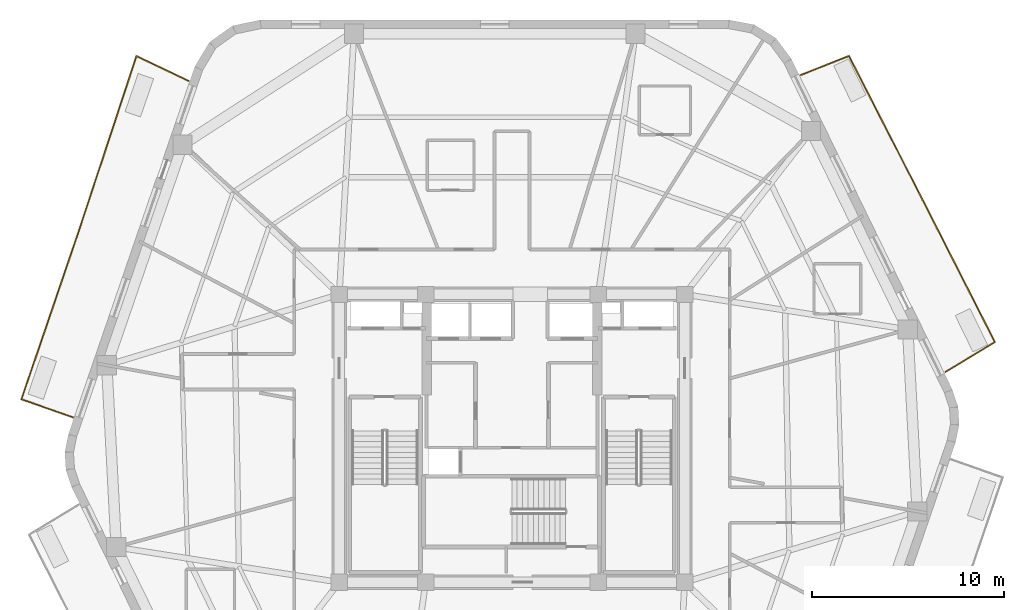
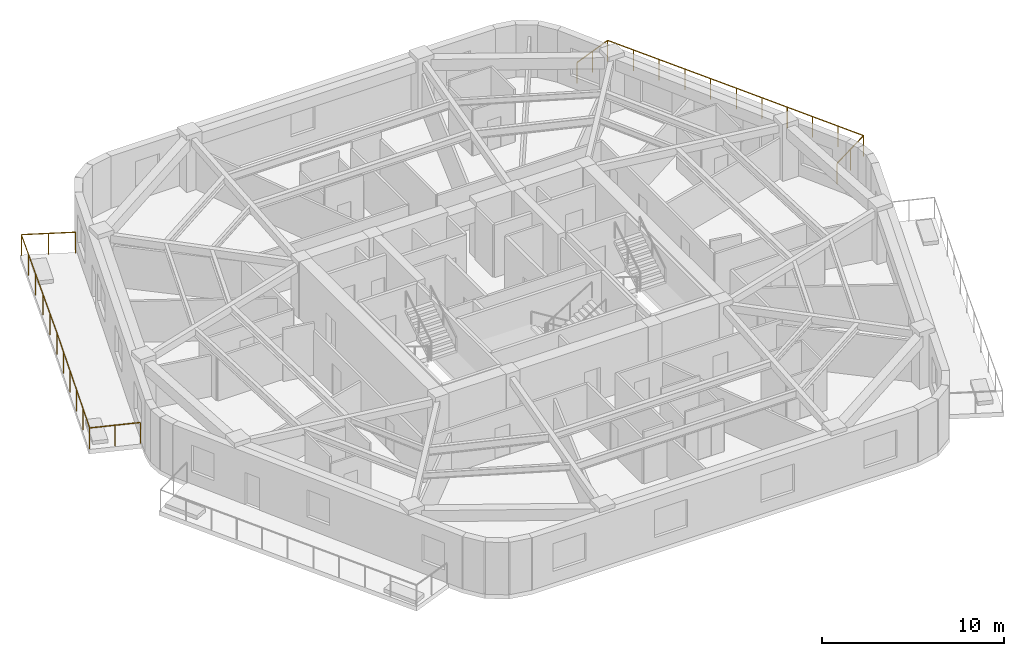
# One storey, part 9 of 9: 2 railings.
"""IFC4 building model written with IfcOpenShell, lengths in metres."""

import ifcopenshell
import ifcopenshell.guid

model = None  # the IFC model being written
_history = None  # IfcOwnerHistory: only IFC2X3 demands one
_inside = {}  # id of a spatial element -> (the spatial element, [elements in it])
_under = {}  # id of a project, library or spatial element -> (it, [spatial elements below it])
_declared = {}  # id of a project -> (the project, [libraries it declares])
_typed = {}  # id of a type object -> (the type object, [elements of that type])
_made_of = {}  # id of a material, layer set ... -> (it, [elements and type objects made of it])


def new_model(schema):
    """Start an empty IFC model of exactly this schema.

    Asked for "IFC4X3", IfcOpenShell would pick the latest addendum, in which some entities
    have other attributes; the version numbers below select the first issue.
    IFC2X3 requires an IfcOwnerHistory on every rooted entity: one is made here for all.
    """
    global model, _history
    if schema == "IFC4X3":
        model = ifcopenshell.file(schema_version=(4, 3, 0, 0))
    else:
        model = ifcopenshell.file(schema=schema)
    _inside.clear()
    _under.clear()
    _declared.clear()
    _typed.clear()
    _made_of.clear()
    _history = None
    if model.schema == "IFC2X3":
        org = make("IfcOrganization", Name="unknown")
        user = make(
            "IfcPersonAndOrganization",
            ThePerson=make("IfcPerson", FamilyName="unknown"),
            TheOrganization=org,
        )
        app = make(
            "IfcApplication",
            ApplicationDeveloper=org,
            Version="unknown",
            ApplicationFullName="unknown",
            ApplicationIdentifier="unknown",
        )
        _history = make(
            "IfcOwnerHistory",
            OwningUser=user,
            OwningApplication=app,
            ChangeAction="ADDED",
            CreationDate=0,
        )
    return model


def make(cls, **values):
    """One entity of the class cls with the attributes given. An attribute that is None is left unset."""
    return model.create_entity(
        cls, **{name: value for name, value in values.items() if value is not None}
    )


def rooted(cls, **values):
    """An entity with a GlobalId (a new one), such as an element, a storey or a relation."""
    return make(cls, GlobalId=ifcopenshell.guid.new(), OwnerHistory=_history, **values)


def si_unit(unit_type, name, prefix=None):
    """IfcSIUnit, for example si_unit("LENGTHUNIT", "METRE", prefix="MILLI")."""
    return make("IfcSIUnit", UnitType=unit_type, Prefix=prefix, Name=name)


def assignment(units):
    """IfcUnitAssignment: the units of a project."""
    return None if units is None else make("IfcUnitAssignment", Units=units)


def point(xyz):
    """IfcCartesianPoint."""
    return None if xyz is None else make("IfcCartesianPoint", Coordinates=xyz)


def direction(xyz):
    """IfcDirection."""
    return None if xyz is None else make("IfcDirection", DirectionRatios=xyz)


def frame(location, z_axis=None, x_axis=None):
    """IfcAxis2Placement3D, a coordinate frame: its origin and axes. An axis left out is left unset."""
    return make(
        "IfcAxis2Placement3D",
        Location=point(location),
        Axis=direction(z_axis),
        RefDirection=direction(x_axis),
    )


def frame_2d(location, x_axis=None):
    """IfcAxis2Placement2D, a coordinate frame in the plane: its origin and x axis."""
    return make(
        "IfcAxis2Placement2D", Location=point(location), RefDirection=direction(x_axis)
    )


def origin():
    """The frame at (0, 0, 0) with its axes left unset."""
    return frame((0.0, 0.0, 0.0))


def origin_2d():
    """The frame at (0, 0) in the plane with its x axis left unset."""
    return frame_2d((0.0, 0.0))


def place(relative_to, where):
    """IfcLocalPlacement: puts the frame where relative to a parent placement (None: the world)."""
    return make(
        "IfcLocalPlacement", PlacementRelTo=relative_to, RelativePlacement=where
    )


def context(
    kind, dimensions, precision=None, world=None, true_north=None, identifier=None
):
    """IfcGeometricRepresentationContext, for example the 3D "Model" context."""
    return make(
        "IfcGeometricRepresentationContext",
        ContextIdentifier=identifier,
        ContextType=kind,
        CoordinateSpaceDimension=dimensions,
        Precision=precision,
        WorldCoordinateSystem=world,
        TrueNorth=true_north,
    )


def subcontext(parent, identifier, kind, view, scale=None):
    """IfcGeometricRepresentationSubContext, for example "Body" below "Model"."""
    return make(
        "IfcGeometricRepresentationSubContext",
        ContextIdentifier=identifier,
        ContextType=kind,
        ParentContext=parent,
        TargetScale=scale,
        TargetView=view,
    )


def project(units=None, contexts=None):
    """IfcProject with its units and contexts."""
    return rooted(
        "IfcProject",
        Name="project",
        RepresentationContexts=contexts,
        UnitsInContext=assignment(units),
    )


def spatial(cls, under=None, at=None, **own):
    """A site, building, storey or space (cls), placed at a placement, below another one or the project."""
    s = rooted(cls, ObjectPlacement=at, **own)
    if under is not None:
        _under.setdefault(under.id(), (under, []))[1].append(s)
    return s


def profile(cls, at=None, kind="AREA", **sizes):
    """A parametric profile (cls). Its sizes go by their IFC names, for example OverallWidth=200.0."""
    return make(cls, ProfileType=kind, Position=at, **sizes)


def rectangle(**sizes):
    """IfcRectangleProfileDef."""
    return profile("IfcRectangleProfileDef", **sizes)


def extrude(swept, where, along, depth):
    """IfcExtrudedAreaSolid: the profile swept, set in the frame where, extruded along a direction by depth."""
    return make(
        "IfcExtrudedAreaSolid",
        SweptArea=swept,
        Position=where,
        ExtrudedDirection=direction(along),
        Depth=depth,
    )


def shape(context_of_items, identifier, shape_type, items):
    """IfcShapeRepresentation: the items that make up one representation, for example the "Body"."""
    return make(
        "IfcShapeRepresentation",
        ContextOfItems=context_of_items,
        RepresentationIdentifier=identifier,
        RepresentationType=shape_type,
        Items=items,
    )


def material(Name=None, Category=None):
    """IfcMaterial."""
    return make("IfcMaterial", Name=Name, Category=Category)


def layer(
    of_material, thickness, ventilated=None, Name=None, Category=None, Priority=None
):
    """IfcMaterialLayer: one layer of a wall or slab, of a material (None: an air gap)."""
    return make(
        "IfcMaterialLayer",
        Material=of_material,
        LayerThickness=thickness,
        IsVentilated=ventilated,
        Name=Name,
        Category=Category,
        Priority=Priority,
    )


def layer_set(layers, Name=None):
    """IfcMaterialLayerSet."""
    return make("IfcMaterialLayerSet", MaterialLayers=layers, LayerSetName=Name)


def made_of(thing, what):
    """Note that an element or type object is made of a material, layer set ...; save() writes the relation."""
    if what is not None:
        _made_of.setdefault(what.id(), (what, []))[1].append(thing)
    return thing


def type_object(cls, material=None, **own):
    """A type object (cls), such as IfcWallType, which elements share."""
    return made_of(rooted(cls, **own), material)


def element(
    cls,
    number,
    at=None,
    inside=None,
    cuts=None,
    type_object=None,
    material=None,
    context=None,
    identifier="Body",
    shape_type=None,
    held_by="IfcProductDefinitionShape",
    body=None,
    shapes=None,
    **own,
):
    """One element of the class cls, such as IfcWall. Its Tag is "e" and its number.

    at: its placement. inside: the storey or other place that contains it. cuts: it is an
    opening in that element (IfcRelVoidsElement). A single representation is given by context,
    identifier, shape_type and body (its items); several are given by shapes. held_by: the class
    of the entity that holds the representations. save() writes the other relations.
    """
    e = rooted(cls, Tag="e%d" % number, ObjectPlacement=at, **own)
    if body is not None:
        shapes = [shape(context, identifier, shape_type, body)]
    if shapes is not None:
        e.Representation = make(held_by, Representations=shapes)
    if inside is not None:
        _inside.setdefault(inside.id(), (inside, []))[1].append(e)
    if cuts is not None:
        rooted(
            "IfcRelVoidsElement", RelatingBuildingElement=cuts, RelatedOpeningElement=e
        )
    if type_object is not None:
        _typed.setdefault(type_object.id(), (type_object, []))[1].append(e)
    return made_of(e, material)


def aggregate(whole, parts):
    """IfcRelAggregates: a whole, such as a stair, and the parts it consists of."""
    return rooted("IfcRelAggregates", RelatingObject=whole, RelatedObjects=parts)


def save(model, path):
    """Write the relations noted so far, then the file.

    IfcRelAggregates (storeys below a building ...), IfcRelContainedInSpatialStructure (elements
    in a storey), IfcRelDefinesByType, IfcRelAssociatesMaterial and IfcRelDeclares: one each for
    every whole, place, type object, material and project.
    """
    for whole, parts in _under.values():
        aggregate(whole, parts)
    for where, things in _inside.values():
        rooted(
            "IfcRelContainedInSpatialStructure",
            RelatedElements=things,
            RelatingStructure=where,
        )
    for kind, things in _typed.values():
        rooted("IfcRelDefinesByType", RelatedObjects=things, RelatingType=kind)
    for what, things in _made_of.values():
        rooted("IfcRelAssociatesMaterial", RelatedObjects=things, RelatingMaterial=what)
    for by, libraries in _declared.values():
        rooted("IfcRelDeclares", RelatingContext=by, RelatedDefinitions=libraries)
    model.write(path)


model = new_model("IFC4")

# Units and contexts
model_context = context("Model", 3, precision=1e-05, world=origin(), true_north=direction((0.0, 1.0)))
body_context = subcontext(model_context, "Body", "Model", "MODEL_VIEW")
ifc_project = project(units=[si_unit("LENGTHUNIT", "METRE"), si_unit("AREAUNIT", "SQUARE_METRE"), si_unit("VOLUMEUNIT", "CUBIC_METRE"), si_unit("PLANEANGLEUNIT", "RADIAN"), si_unit("MASSUNIT", "GRAM", prefix="KILO")], contexts=[model_context])

# Site, building, storey
site_placement = place(None, origin())
site = spatial("IfcSite", under=ifc_project, at=site_placement, CompositionType="ELEMENT")
building_placement = place(site_placement, origin())
building = spatial("IfcBuilding", under=site, at=building_placement, Name="Kilnhurst Terrace Hotel", CompositionType="ELEMENT")
storey_placement = place(building_placement, frame((0.0, 0.0, 236.89990234375)))
storey = spatial("IfcBuildingStorey", under=building, at=storey_placement, Name="L59", CompositionType="ELEMENT", Elevation=236.89990234375)

# Railings
ifc_material = material(Name="Laminated SentryGlas and Stainless Steel AISI 316L Balustrade", Category="steel")
ifc_layer = layer(ifc_material, 0.070068359375, Name="Laminated SentryGlas and Stainless Steel AISI 316L Balustrade")
ifc_layer_set = layer_set([ifc_layer], Name="Laminated SentryGlas and Stainless Steel AISI 316L Balustrade")
railing_type = type_object("IfcRailingType", Name="RLG-BAL-1420", PredefinedType="BALUSTRADE", material=ifc_layer_set)
railing_1_placement = place(storey_placement, frame((15.0546875, 18.933349609375, 0.0)))
element("IfcRailing", 1, at=railing_1_placement, inside=storey, type_object=railing_type, Name="L59 Exterior Terrace Guardrail BAL-L1B.1", PredefinedType="BALUSTRADE", context=body_context, shape_type="SweptSolid", body=[
    extrude(rectangle(XDim=0.048095703125, YDim=0.048095703125, at=origin_2d()), frame((0.0, 0.0, 1.39599609375), z_axis=(0.929913162101, 0.367779160574, 0.0), x_axis=(-0.367779160574, 0.929913162101, 0.0)), (0.0, 0.0, 1.0), 2.694580078125),
    extrude(rectangle(XDim=0.048095703125, YDim=0.048095703125, at=origin_2d()), frame((2.505615234375, 0.990966796875, 1.39599609375), z_axis=(0.455129479154, -0.890425267614, 0.0), x_axis=(0.890425267614, 0.455129479154, 0.0)), (0.0, 0.0, 1.0), 8.4072265625),
    extrude(rectangle(XDim=0.048095703125, YDim=0.048095703125, at=origin_2d()), frame((6.33203125, -6.4951171875, 1.39599609375), z_axis=(0.45338853952, -0.891312982196, 0.0), x_axis=(0.891312982196, 0.45338853952, 0.0)), (0.0, 0.0, 1.0), 8.320068359375),
    extrude(rectangle(XDim=0.048095703125, YDim=0.048095703125, at=origin_2d()), frame((10.104248046875, -13.910888671875, 1.39599609375), z_axis=(-0.854990626614, -0.518643450168, 0.0), x_axis=(0.518643450168, -0.854990626614, 0.0)), (0.0, 0.0, 1.0), 3.008056640625),
    extrude(rectangle(XDim=0.0419921875, YDim=0.0419921875, at=origin_2d()), origin(), (0.0, 0.0, 1.0), 1.371826171875),
    extrude(rectangle(XDim=0.0419921875, YDim=0.0419921875, at=origin_2d()), frame((1.2529296875, 0.49560546875, 0.0)), (0.0, 0.0, 1.0), 1.371826171875),
    extrude(rectangle(XDim=0.0419921875, YDim=0.0419921875, at=origin_2d()), frame((2.505615234375, 0.990966796875, 0.0)), (0.0, 0.0, 1.0), 1.371826171875),
    extrude(rectangle(XDim=0.0419921875, YDim=0.0419921875, at=origin_2d()), frame((3.27099609375, -0.50634765625, 0.0)), (0.0, 0.0, 1.0), 1.371826171875),
    extrude(rectangle(XDim=0.0419921875, YDim=0.0419921875, at=origin_2d()), frame((4.0361328125, -2.00341796875, 0.0)), (0.0, 0.0, 1.0), 1.371826171875),
    extrude(rectangle(XDim=0.0419921875, YDim=0.0419921875, at=origin_2d()), frame((4.801513671875, -3.500732421875, 0.0)), (0.0, 0.0, 1.0), 1.371826171875),
    extrude(rectangle(XDim=0.0419921875, YDim=0.0419921875, at=origin_2d()), frame((5.566650390625, -4.997802734375, 0.0)), (0.0, 0.0, 1.0), 1.371826171875),
    extrude(rectangle(XDim=0.0419921875, YDim=0.0419921875, at=origin_2d()), frame((6.33203125, -6.4951171875, 0.0)), (0.0, 0.0, 1.0), 1.371826171875),
    extrude(rectangle(XDim=0.0419921875, YDim=0.0419921875, at=origin_2d()), frame((7.08642578125, -7.978271484375, 0.0)), (0.0, 0.0, 1.0), 1.371826171875),
    extrude(rectangle(XDim=0.0419921875, YDim=0.0419921875, at=origin_2d()), frame((7.8408203125, -9.46142578125, 0.0)), (0.0, 0.0, 1.0), 1.371826171875),
    extrude(rectangle(XDim=0.0419921875, YDim=0.0419921875, at=origin_2d()), frame((8.595458984375, -10.944580078125, 0.0)), (0.0, 0.0, 1.0), 1.371826171875),
    extrude(rectangle(XDim=0.0419921875, YDim=0.0419921875, at=origin_2d()), frame((9.349853515625, -12.427734375, 0.0)), (0.0, 0.0, 1.0), 1.371826171875),
    extrude(rectangle(XDim=0.0419921875, YDim=0.0419921875, at=origin_2d()), frame((10.104248046875, -13.910888671875, 0.0)), (0.0, 0.0, 1.0), 1.371826171875),
    extrude(rectangle(XDim=0.0419921875, YDim=0.0419921875, at=origin_2d()), frame((8.818359375, -14.69091796875, 0.0)), (0.0, 0.0, 1.0), 1.371826171875),
    extrude(rectangle(XDim=0.0419921875, YDim=0.0419921875, at=origin_2d()), frame((7.532470703125, -15.470947265625, 0.0)), (0.0, 0.0, 1.0), 1.371826171875),
])
railing_2_placement = place(storey_placement, frame((-22.894287109375, 1.1005859375, 0.0)))
element("IfcRailing", 2, at=railing_2_placement, inside=storey, type_object=railing_type, Name="L59 Exterior Terrace Guardrail BAL-L2A.1", PredefinedType="BALUSTRADE", context=body_context, shape_type="SweptSolid", body=[
    extrude(rectangle(XDim=0.048095703125, YDim=0.048095703125, at=origin_2d()), frame((0.0, 0.0, 1.39599609375), z_axis=(-0.943611810029, 0.331054001597, 0.0), x_axis=(-0.331054001597, -0.943611810029, 0.0)), (0.0, 0.0, 1.0), 2.828125),
    extrude(rectangle(XDim=0.048095703125, YDim=0.048095703125, at=origin_2d()), frame((-2.668701171875, 0.936279296875, 1.39599609375), z_axis=(0.322845243604, 0.946451767753, 0.0), x_axis=(-0.946451767753, 0.322845243604, 0.0)), (0.0, 0.0, 1.0), 9.19775390625),
    extrude(rectangle(XDim=0.048095703125, YDim=0.048095703125, at=origin_2d()), frame((0.30078125, 9.6416015625, 1.39599609375), z_axis=(0.316227766017, 0.948683298051, 0.0), x_axis=(-0.948683298051, 0.316227766017, 0.0)), (0.0, 0.0, 1.0), 0.000732421875),
    extrude(rectangle(XDim=0.048095703125, YDim=0.048095703125, at=origin_2d()), frame((0.301025390625, 9.642333984375, 1.39599609375), z_axis=(0.31308682558, 0.949724507238, 0.0), x_axis=(-0.949724507238, 0.31308682558, 0.0)), (0.0, 0.0, 1.0), 9.6591796875),
    extrude(rectangle(XDim=0.048095703125, YDim=0.048095703125, at=origin_2d()), frame((3.3251953125, 18.81591796875, 1.39599609375), z_axis=(0.902564652544, -0.430554349622, 0.0), x_axis=(0.430554349622, 0.902564652544, 0.0)), (0.0, 0.0, 1.0), 2.99169921875),
    extrude(rectangle(XDim=0.0419921875, YDim=0.0419921875, at=origin_2d()), origin(), (0.0, 0.0, 1.0), 1.371826171875),
    extrude(rectangle(XDim=0.0419921875, YDim=0.0419921875, at=origin_2d()), frame((-1.33447265625, 0.46826171875, 0.0)), (0.0, 0.0, 1.0), 1.371826171875),
    extrude(rectangle(XDim=0.0419921875, YDim=0.0419921875, at=origin_2d()), frame((-2.668701171875, 0.936279296875, 0.0)), (0.0, 0.0, 1.0), 1.371826171875),
    extrude(rectangle(XDim=0.0419921875, YDim=0.0419921875, at=origin_2d()), frame((-2.07470703125, 2.67724609375, 0.0)), (0.0, 0.0, 1.0), 1.371826171875),
    extrude(rectangle(XDim=0.0419921875, YDim=0.0419921875, at=origin_2d()), frame((-1.48095703125, 4.41845703125, 0.0)), (0.0, 0.0, 1.0), 1.371826171875),
    extrude(rectangle(XDim=0.0419921875, YDim=0.0419921875, at=origin_2d()), frame((-0.886962890625, 6.159423828125, 0.0)), (0.0, 0.0, 1.0), 1.371826171875),
    extrude(rectangle(XDim=0.0419921875, YDim=0.0419921875, at=origin_2d()), frame((-0.293212890625, 7.900634765625, 0.0)), (0.0, 0.0, 1.0), 1.371826171875),
    extrude(rectangle(XDim=0.0419921875, YDim=0.0419921875, at=origin_2d()), frame((0.30078125, 9.6416015625, 0.0)), (0.0, 0.0, 1.0), 1.371826171875),
    extrude(rectangle(XDim=0.0419921875, YDim=0.0419921875, at=origin_2d()), frame((0.301025390625, 9.642333984375, 0.0)), (0.0, 0.0, 1.0), 1.371826171875),
    extrude(rectangle(XDim=0.0419921875, YDim=0.0419921875, at=origin_2d()), frame((0.90576171875, 11.47705078125, 0.0)), (0.0, 0.0, 1.0), 1.371826171875),
    extrude(rectangle(XDim=0.0419921875, YDim=0.0419921875, at=origin_2d()), frame((1.5107421875, 13.311767578125, 0.0)), (0.0, 0.0, 1.0), 1.371826171875),
    extrude(rectangle(XDim=0.0419921875, YDim=0.0419921875, at=origin_2d()), frame((2.115478515625, 15.146484375, 0.0)), (0.0, 0.0, 1.0), 1.371826171875),
    extrude(rectangle(XDim=0.0419921875, YDim=0.0419921875, at=origin_2d()), frame((2.720458984375, 16.981201171875, 0.0)), (0.0, 0.0, 1.0), 1.371826171875),
    extrude(rectangle(XDim=0.0419921875, YDim=0.0419921875, at=origin_2d()), frame((3.3251953125, 18.81591796875, 0.0)), (0.0, 0.0, 1.0), 1.371826171875),
    extrude(rectangle(XDim=0.0419921875, YDim=0.0419921875, at=origin_2d()), frame((4.67529296875, 18.171875, 0.0)), (0.0, 0.0, 1.0), 1.371826171875),
    extrude(rectangle(XDim=0.0419921875, YDim=0.0419921875, at=origin_2d()), frame((6.025390625, 17.52783203125, 0.0)), (0.0, 0.0, 1.0), 1.371826171875),
])

save(model, "model.ifc")
